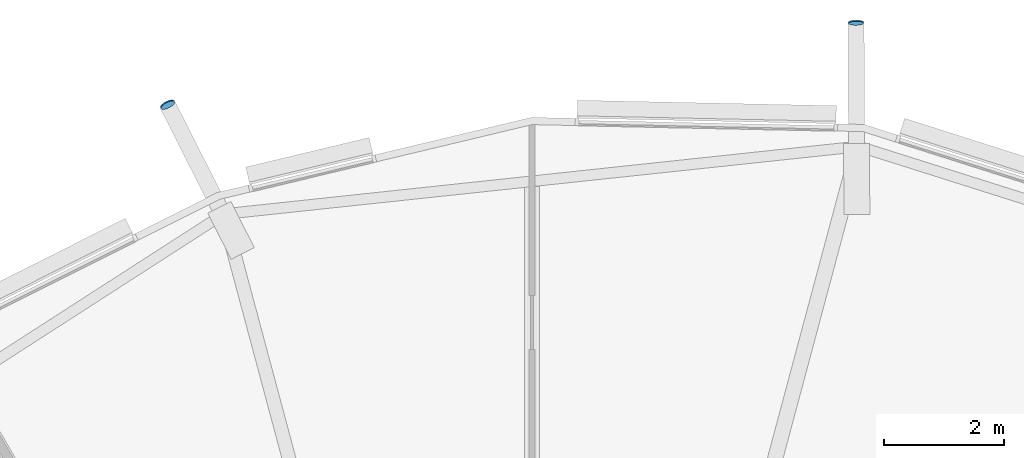
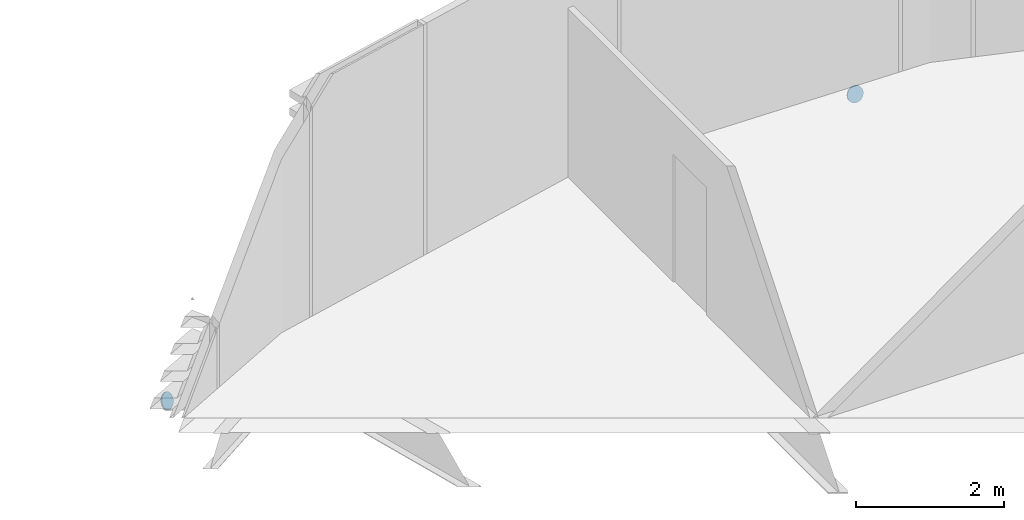
# One storey, part 30 of 36: 2 discrete accessories.
"""IFC4 building model written with IfcOpenShell, lengths in metres."""

import ifcopenshell
import ifcopenshell.guid

model = None  # the IFC model being written
_history = None  # IfcOwnerHistory: only IFC2X3 demands one
_inside = {}  # id of a spatial element -> (the spatial element, [elements in it])
_under = {}  # id of a project, library or spatial element -> (it, [spatial elements below it])
_declared = {}  # id of a project -> (the project, [libraries it declares])
_typed = {}  # id of a type object -> (the type object, [elements of that type])
_made_of = {}  # id of a material, layer set ... -> (it, [elements and type objects made of it])


def new_model(schema):
    """Start an empty IFC model of exactly this schema.

    Asked for "IFC4X3", IfcOpenShell would pick the latest addendum, in which some entities
    have other attributes; the version numbers below select the first issue.
    IFC2X3 requires an IfcOwnerHistory on every rooted entity: one is made here for all.
    """
    global model, _history
    if schema == "IFC4X3":
        model = ifcopenshell.file(schema_version=(4, 3, 0, 0))
    else:
        model = ifcopenshell.file(schema=schema)
    _inside.clear()
    _under.clear()
    _declared.clear()
    _typed.clear()
    _made_of.clear()
    _history = None
    if model.schema == "IFC2X3":
        org = make("IfcOrganization", Name="unknown")
        user = make(
            "IfcPersonAndOrganization",
            ThePerson=make("IfcPerson", FamilyName="unknown"),
            TheOrganization=org,
        )
        app = make(
            "IfcApplication",
            ApplicationDeveloper=org,
            Version="unknown",
            ApplicationFullName="unknown",
            ApplicationIdentifier="unknown",
        )
        _history = make(
            "IfcOwnerHistory",
            OwningUser=user,
            OwningApplication=app,
            ChangeAction="ADDED",
            CreationDate=0,
        )
    return model


def make(cls, **values):
    """One entity of the class cls with the attributes given. An attribute that is None is left unset."""
    return model.create_entity(
        cls, **{name: value for name, value in values.items() if value is not None}
    )


def rooted(cls, **values):
    """An entity with a GlobalId (a new one), such as an element, a storey or a relation."""
    return make(cls, GlobalId=ifcopenshell.guid.new(), OwnerHistory=_history, **values)


def si_unit(unit_type, name, prefix=None):
    """IfcSIUnit, for example si_unit("LENGTHUNIT", "METRE", prefix="MILLI")."""
    return make("IfcSIUnit", UnitType=unit_type, Prefix=prefix, Name=name)


def assignment(units):
    """IfcUnitAssignment: the units of a project."""
    return None if units is None else make("IfcUnitAssignment", Units=units)


def point(xyz):
    """IfcCartesianPoint."""
    return None if xyz is None else make("IfcCartesianPoint", Coordinates=xyz)


def direction(xyz):
    """IfcDirection."""
    return None if xyz is None else make("IfcDirection", DirectionRatios=xyz)


def frame(location, z_axis=None, x_axis=None):
    """IfcAxis2Placement3D, a coordinate frame: its origin and axes. An axis left out is left unset."""
    return make(
        "IfcAxis2Placement3D",
        Location=point(location),
        Axis=direction(z_axis),
        RefDirection=direction(x_axis),
    )


def frame_2d(location, x_axis=None):
    """IfcAxis2Placement2D, a coordinate frame in the plane: its origin and x axis."""
    return make(
        "IfcAxis2Placement2D", Location=point(location), RefDirection=direction(x_axis)
    )


def origin():
    """The frame at (0, 0, 0) with its axes left unset."""
    return frame((0.0, 0.0, 0.0))


def origin_2d():
    """The frame at (0, 0) in the plane with its x axis left unset."""
    return frame_2d((0.0, 0.0))


def place(relative_to, where):
    """IfcLocalPlacement: puts the frame where relative to a parent placement (None: the world)."""
    return make(
        "IfcLocalPlacement", PlacementRelTo=relative_to, RelativePlacement=where
    )


def context(
    kind, dimensions, precision=None, world=None, true_north=None, identifier=None
):
    """IfcGeometricRepresentationContext, for example the 3D "Model" context."""
    return make(
        "IfcGeometricRepresentationContext",
        ContextIdentifier=identifier,
        ContextType=kind,
        CoordinateSpaceDimension=dimensions,
        Precision=precision,
        WorldCoordinateSystem=world,
        TrueNorth=true_north,
    )


def subcontext(parent, identifier, kind, view, scale=None):
    """IfcGeometricRepresentationSubContext, for example "Body" below "Model"."""
    return make(
        "IfcGeometricRepresentationSubContext",
        ContextIdentifier=identifier,
        ContextType=kind,
        ParentContext=parent,
        TargetScale=scale,
        TargetView=view,
    )


def project(units=None, contexts=None):
    """IfcProject with its units and contexts."""
    return rooted(
        "IfcProject",
        Name="project",
        RepresentationContexts=contexts,
        UnitsInContext=assignment(units),
    )


def spatial(cls, under=None, at=None, **own):
    """A site, building, storey or space (cls), placed at a placement, below another one or the project."""
    s = rooted(cls, ObjectPlacement=at, **own)
    if under is not None:
        _under.setdefault(under.id(), (under, []))[1].append(s)
    return s


def profile(cls, at=None, kind="AREA", **sizes):
    """A parametric profile (cls). Its sizes go by their IFC names, for example OverallWidth=200.0."""
    return make(cls, ProfileType=kind, Position=at, **sizes)


def circle(**sizes):
    """IfcCircleProfileDef."""
    return profile("IfcCircleProfileDef", **sizes)


def extrude(swept, where, along, depth):
    """IfcExtrudedAreaSolid: the profile swept, set in the frame where, extruded along a direction by depth."""
    return make(
        "IfcExtrudedAreaSolid",
        SweptArea=swept,
        Position=where,
        ExtrudedDirection=direction(along),
        Depth=depth,
    )


def shape(context_of_items, identifier, shape_type, items):
    """IfcShapeRepresentation: the items that make up one representation, for example the "Body"."""
    return make(
        "IfcShapeRepresentation",
        ContextOfItems=context_of_items,
        RepresentationIdentifier=identifier,
        RepresentationType=shape_type,
        Items=items,
    )


def material(Name=None, Category=None):
    """IfcMaterial."""
    return make("IfcMaterial", Name=Name, Category=Category)


def material_profile(
    of_material, cross_section, Name=None, Category=None, Priority=None
):
    """IfcMaterialProfile: a cross section and its material."""
    return make(
        "IfcMaterialProfile",
        Name=Name,
        Material=of_material,
        Profile=cross_section,
        Priority=Priority,
        Category=Category,
    )


def profile_set(profiles, Name=None, composite=None):
    """IfcMaterialProfileSet."""
    return make(
        "IfcMaterialProfileSet",
        Name=Name,
        MaterialProfiles=profiles,
        CompositeProfile=composite,
    )


def made_of(thing, what):
    """Note that an element or type object is made of a material, layer set ...; save() writes the relation."""
    if what is not None:
        _made_of.setdefault(what.id(), (what, []))[1].append(thing)
    return thing


def type_object(cls, material=None, **own):
    """A type object (cls), such as IfcWallType, which elements share."""
    return made_of(rooted(cls, **own), material)


def element(
    cls,
    number,
    at=None,
    inside=None,
    cuts=None,
    type_object=None,
    material=None,
    context=None,
    identifier="Body",
    shape_type=None,
    held_by="IfcProductDefinitionShape",
    body=None,
    shapes=None,
    **own,
):
    """One element of the class cls, such as IfcWall. Its Tag is "e" and its number.

    at: its placement. inside: the storey or other place that contains it. cuts: it is an
    opening in that element (IfcRelVoidsElement). A single representation is given by context,
    identifier, shape_type and body (its items); several are given by shapes. held_by: the class
    of the entity that holds the representations. save() writes the other relations.
    """
    e = rooted(cls, Tag="e%d" % number, ObjectPlacement=at, **own)
    if body is not None:
        shapes = [shape(context, identifier, shape_type, body)]
    if shapes is not None:
        e.Representation = make(held_by, Representations=shapes)
    if inside is not None:
        _inside.setdefault(inside.id(), (inside, []))[1].append(e)
    if cuts is not None:
        rooted(
            "IfcRelVoidsElement", RelatingBuildingElement=cuts, RelatedOpeningElement=e
        )
    if type_object is not None:
        _typed.setdefault(type_object.id(), (type_object, []))[1].append(e)
    return made_of(e, material)


def aggregate(whole, parts):
    """IfcRelAggregates: a whole, such as a stair, and the parts it consists of."""
    return rooted("IfcRelAggregates", RelatingObject=whole, RelatedObjects=parts)


def save(model, path):
    """Write the relations noted so far, then the file.

    IfcRelAggregates (storeys below a building ...), IfcRelContainedInSpatialStructure (elements
    in a storey), IfcRelDefinesByType, IfcRelAssociatesMaterial and IfcRelDeclares: one each for
    every whole, place, type object, material and project.
    """
    for whole, parts in _under.values():
        aggregate(whole, parts)
    for where, things in _inside.values():
        rooted(
            "IfcRelContainedInSpatialStructure",
            RelatedElements=things,
            RelatingStructure=where,
        )
    for kind, things in _typed.values():
        rooted("IfcRelDefinesByType", RelatedObjects=things, RelatingType=kind)
    for what, things in _made_of.values():
        rooted("IfcRelAssociatesMaterial", RelatedObjects=things, RelatingMaterial=what)
    for by, libraries in _declared.values():
        rooted("IfcRelDeclares", RelatingContext=by, RelatedDefinitions=libraries)
    model.write(path)


model = new_model("IFC4")

# Units and contexts
model_context = context("Model", 3, precision=1e-05, world=origin(), true_north=direction((0.0, 1.0)))
body_context = subcontext(model_context, "Body", "Model", "MODEL_VIEW")
ifc_project = project(units=[si_unit("LENGTHUNIT", "METRE"), si_unit("AREAUNIT", "SQUARE_METRE"), si_unit("VOLUMEUNIT", "CUBIC_METRE"), si_unit("PLANEANGLEUNIT", "RADIAN"), si_unit("MASSUNIT", "GRAM", prefix="KILO")], contexts=[model_context])

# Site, building, storey
site_placement = place(None, origin())
site = spatial("IfcSite", under=ifc_project, at=site_placement, CompositionType="ELEMENT")
building_placement = place(site_placement, origin())
building = spatial("IfcBuilding", under=site, at=building_placement, Name="Rimbun Link Towers", CompositionType="ELEMENT")
storey_placement = place(building_placement, frame((0.0, 0.0, 33.800048828125)))
storey = spatial("IfcBuildingStorey", under=building, at=storey_placement, Name="L07", CompositionType="ELEMENT", Elevation=33.800048828125)

# Discrete accessories
ifc_material = material(Name="Steel S355J2H", Category="steel")
ifc_material_profile = material_profile(ifc_material, circle(Radius=0.1240234375, at=origin_2d()), Name="PL D248")
ifc_profile_set = profile_set([ifc_material_profile], Name="Steel S355J2H")
discrete_accessory_type = type_object("IfcDiscreteAccessoryType", Name="Link foot sealing plate D248X20", PredefinedType="BRACKET", material=ifc_profile_set)
for number, where, z_axis, x_axis, name in (
    (1, (37.161865234375, 22.42578125, -1.57958984375), (-0.012193308685, 0.963271386114, -0.26825279107), (-0.99991989426, -0.012657213851, 0.0), "Link foot sealing plate T2 L07 02"),
    (2, (25.664794921875, 21.057861328125, -1.769287109375), (-0.416340403077, 0.820435500181, -0.391849791131), (-0.891749407737, -0.452529550195, 0.0), "Link foot sealing plate T2 L07 04"),
):
    element("IfcDiscreteAccessory", number, at=place(storey_placement, frame(where, z_axis=z_axis, x_axis=x_axis)), inside=storey, type_object=discrete_accessory_type, Name=name, PredefinedType="BRACKET", context=body_context, shape_type="SweptSolid", body=[
        extrude(circle(Radius=0.1240234375, at=origin_2d()), origin(), (0.0, 0.0, 1.0), 0.02001953125),
    ])

save(model, "model.ifc")
